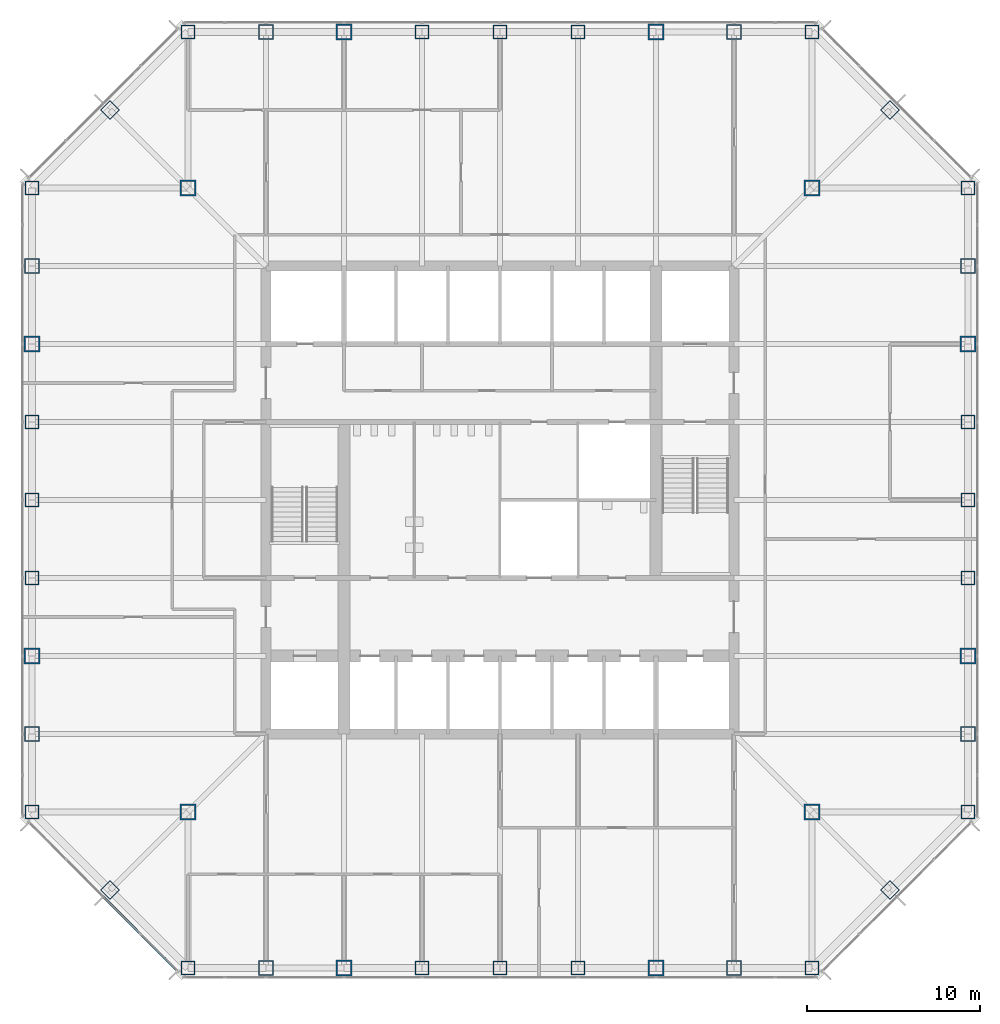
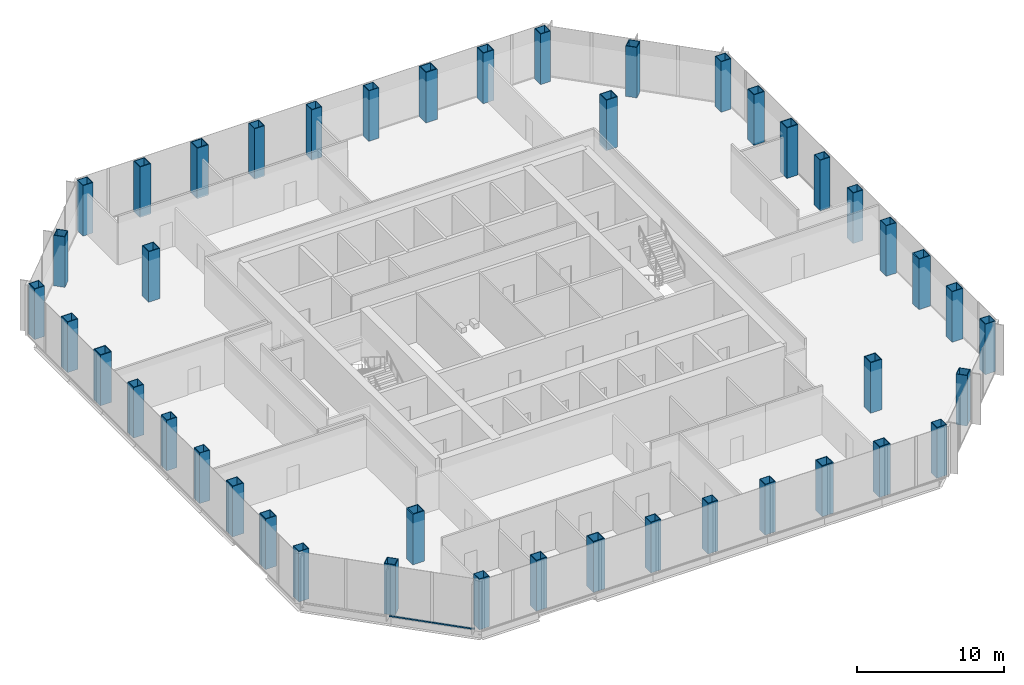
# One storey, part 1 of 13: 44 columns, 2 members, 1 element without a shape of its own.
"""IFC4 building model written with IfcOpenShell, lengths in metres."""

from ifc_helpers import new_model, si_unit, direction, frame, origin, origin_2d, place, context, subcontext, project, spatial, rectangle, hollow_rectangle, extrude, material, material_profile, profile_set, type_object, element, aggregate, save


model = new_model("IFC4")

# Units and contexts
model_context = context("Model", 3, precision=1e-05, world=origin(), true_north=direction((0.0, 1.0)))
body_context = subcontext(model_context, "Body", "Model", "MODEL_VIEW")
ifc_project = project(units=[si_unit("LENGTHUNIT", "METRE"), si_unit("AREAUNIT", "SQUARE_METRE"), si_unit("VOLUMEUNIT", "CUBIC_METRE"), si_unit("PLANEANGLEUNIT", "RADIAN"), si_unit("MASSUNIT", "GRAM", prefix="KILO")], contexts=[model_context])

# Site, building, storey
site_placement = place(None, origin())
site = spatial("IfcSite", under=ifc_project, at=site_placement, CompositionType="ELEMENT")
building_placement = place(site_placement, origin())
building = spatial("IfcBuilding", under=site, at=building_placement, Name="Corais Broadcast Tower", CompositionType="ELEMENT")
storey_placement = place(building_placement, frame((0.0, 0.0, 96.199951171875)))
storey = spatial("IfcBuildingStorey", under=building, at=storey_placement, Name="L21", CompositionType="ELEMENT", Elevation=96.199951171875)

# Columns
ifc_material_1 = material(Name="Steel ASTM A572 Grade 50", Category="steel")
ifc_material_profile_1 = material_profile(ifc_material_1, hollow_rectangle(XDim=0.800048828125, YDim=0.800048828125, WallThickness=0.044921875, at=origin_2d()), Name="BOX 800x800x45")
ifc_profile_set_1 = profile_set([ifc_material_profile_1], Name="Steel ASTM A572 Grade 50")
column_type_1 = type_object("IfcColumnType", Name="Column BOX 800x800x45", PredefinedType="COLUMN", material=ifc_profile_set_1)
for number, where, z_axis, x_axis, name in (
    (1, (9.0, 0.0, 0.0), (0.0, 0.0, 1.0), (1.0, 0.0, 0.0), "C3 A/5"),
    (2, (22.5, 0.0, 0.0), (0.0, 0.0, 1.0), (1.0, 0.0, 0.0), "C3 A/8"),
    (3, (27.0, 0.0, 0.0), (0.0, 0.0, 1.0), (1.0, 0.0, 0.0), "C3 A/9"),
    (4, (31.5, 0.0, 0.0), (0.0, 0.0, 1.0), (1.0, 0.0, 0.0), "C3 A/10"),
    (5, (45.0, 0.0, 0.0), (0.0, 0.0, 1.0), (1.0, 0.0, 0.0), "C3 A/13"),
    (6, (54.0, 9.0, 0.0), (0.0, 0.0, 1.0), (1.0, 0.0, 0.0), "C3 C/15"),
    (7, (54.0, 22.5, 0.0), (0.0, 0.0, 1.0), (1.0, 0.0, 0.0), "C3 F/15"),
    (8, (54.0, 27.0, 0.0), (0.0, 0.0, 1.0), (1.0, 0.0, 0.0), "C3 G/15"),
    (9, (54.0, 31.5, 0.0), (0.0, 0.0, 1.0), (1.0, 0.0, 0.0), "C3 H/15"),
    (10, (54.0, 45.0, 0.0), (0.0, 0.0, 1.0), (1.0, 0.0, 0.0), "C3 L/15"),
    (11, (45.0, 54.0, 0.0), (0.0, 0.0, 1.0), (1.0, 0.0, 0.0), "C3 N/13"),
    (12, (31.5, 54.0, 0.0), (0.0, 0.0, 1.0), (1.0, 0.0, 0.0), "C3 N/10"),
    (13, (27.0, 54.0, 0.0), (0.0, 0.0, 1.0), (1.0, 0.0, 0.0), "C3 N/9"),
    (14, (22.5, 54.0, 0.0), (0.0, 0.0, 1.0), (1.0, 0.0, 0.0), "C3 N/8"),
    (15, (9.0, 54.0, 0.0), (0.0, 0.0, 1.0), (1.0, 0.0, 0.0), "C3 N/5"),
    (16, (0.0, 45.0, 0.0), (0.0, 0.0, 1.0), (1.0, 0.0, 0.0), "C3 L/3"),
    (17, (0.0, 31.5, 0.0), (0.0, 0.0, 1.0), (1.0, 0.0, 0.0), "C3 H/3"),
    (18, (0.0, 27.0, 0.0), (0.0, 0.0, 1.0), (1.0, 0.0, 0.0), "C3 G/3"),
    (19, (0.0, 22.5, 0.0), (0.0, 0.0, 1.0), (1.0, 0.0, 0.0), "C3 F/3"),
    (20, (0.0, 9.0, 0.0), (0.0, 0.0, 1.0), (1.0, 0.0, 0.0), "C3 C/3"),
    (21, (4.5, 4.5, 0.0), (0.0, 0.0, 1.0), (0.707106781187, 0.707106781187, 0.0), "C3 B/4"),
    (22, (49.5, 4.5, 0.0), (0.0, 0.0, 1.0), (0.707106781187, 0.707106781187, 0.0), "C3 B/14"),
    (23, (49.5, 49.5, 0.0), (0.0, 0.0, 1.0), (0.707106781187, 0.707106781187, 0.0), "C3 M/14"),
    (24, (4.5, 49.5, 0.0), (0.0, 0.0, 1.0), (0.707106781187, 0.707106781187, 0.0), "C3 M/4"),
):
    element("IfcColumn", number, at=place(storey_placement, frame(where, z_axis=z_axis, x_axis=x_axis)), inside=storey, type_object=column_type_1, Name=name, PredefinedType="COLUMN", context=body_context, shape_type="SweptSolid", body=[
        extrude(hollow_rectangle(XDim=0.800048828125, YDim=0.800048828125, WallThickness=0.044921875, at=origin_2d()), origin(), (0.0, 0.0, 1.0), 4.199951171875),
    ])
ifc_material_2 = material(Name="Steel ASTM A572 Grade 50", Category="steel")
ifc_material_profile_2 = material_profile(ifc_material_2, hollow_rectangle(XDim=0.85009765625, YDim=0.85009765625, WallThickness=0.050048828125, at=origin_2d()), Name="BOX 850x850x50")
ifc_profile_set_2 = profile_set([ifc_material_profile_2], Name="Steel ASTM A572 Grade 50")
column_type_2 = type_object("IfcColumnType", Name="Column BOX 850x850x50", PredefinedType="COLUMN", material=ifc_profile_set_2)
for number, where, z_axis, x_axis, name in (
    (25, (13.5, 0.0, 0.0), (0.0, 0.0, 1.0), (1.0, 0.0, 0.0), "C1 A/6"),
    (26, (40.5, 0.0, 0.0), (0.0, 0.0, 1.0), (1.0, 0.0, 0.0), "C1 A/12"),
    (27, (54.0, 13.5, 0.0), (0.0, 0.0, 1.0), (1.0, 0.0, 0.0), "C1 D/15"),
    (28, (54.0, 40.5, 0.0), (0.0, 0.0, 1.0), (1.0, 0.0, 0.0), "C1 K/15"),
    (29, (40.5, 54.0, 0.0), (0.0, 0.0, 1.0), (1.0, 0.0, 0.0), "C1 N/12"),
    (30, (13.5, 54.0, 0.0), (0.0, 0.0, 1.0), (1.0, 0.0, 0.0), "C1 N/6"),
    (31, (0.0, 40.5, 0.0), (0.0, 0.0, 1.0), (1.0, 0.0, 0.0), "C1 K/3"),
    (32, (0.0, 13.5, 0.0), (0.0, 0.0, 1.0), (1.0, 0.0, 0.0), "C1 D/3"),
):
    element("IfcColumn", number, at=place(storey_placement, frame(where, z_axis=z_axis, x_axis=x_axis)), inside=storey, type_object=column_type_2, Name=name, PredefinedType="COLUMN", context=body_context, shape_type="SweptSolid", body=[
        extrude(hollow_rectangle(XDim=0.85009765625, YDim=0.85009765625, WallThickness=0.050048828125, at=origin_2d()), origin(), (0.0, 0.0, 1.0), 4.199951171875),
    ])
ifc_material_3 = material(Name="Steel ASTM A572 Grade 50", Category="steel")
ifc_material_profile_3 = material_profile(ifc_material_3, hollow_rectangle(XDim=0.89990234375, YDim=0.89990234375, WallThickness=0.06298828125, at=origin_2d()), Name="BOX 900x900x63")
ifc_profile_set_3 = profile_set([ifc_material_profile_3], Name="Steel ASTM A572 Grade 50")
column_type_3 = type_object("IfcColumnType", Name="Column BOX 900x900x63", PredefinedType="COLUMN", material=ifc_profile_set_3)
for number, where, z_axis, x_axis, name in (
    (33, (18.0, 0.0, 0.0), (0.0, 0.0, 1.0), (1.0, 0.0, 0.0), "C2 A/7"),
    (34, (36.0, 0.0, 0.0), (0.0, 0.0, 1.0), (1.0, 0.0, 0.0), "C2 A/11"),
    (35, (54.0, 18.0, 0.0), (0.0, 0.0, 1.0), (1.0, 0.0, 0.0), "C2 E/15"),
    (36, (54.0, 36.0, 0.0), (0.0, 0.0, 1.0), (1.0, 0.0, 0.0), "C2 J/15"),
    (37, (36.0, 54.0, 0.0), (0.0, 0.0, 1.0), (1.0, 0.0, 0.0), "C2 N/11"),
    (38, (18.0, 54.0, 0.0), (0.0, 0.0, 1.0), (1.0, 0.0, 0.0), "C2 N/7"),
    (39, (0.0, 36.0, 0.0), (0.0, 0.0, 1.0), (1.0, 0.0, 0.0), "C2 J/3"),
    (40, (0.0, 18.0, 0.0), (0.0, 0.0, 1.0), (1.0, 0.0, 0.0), "C2 E/3"),
    (41, (9.0, 9.0, 0.0), (0.0, 0.0, 1.0), (1.0, 0.0, 0.0), "C2 C/5"),
    (42, (45.0, 9.0, 0.0), (0.0, 0.0, 1.0), (1.0, 0.0, 0.0), "C2 C/13"),
    (43, (45.0, 45.0, 0.0), (0.0, 0.0, 1.0), (1.0, 0.0, 0.0), "C2 L/13"),
    (44, (9.0, 45.0, 0.0), (0.0, 0.0, 1.0), (1.0, 0.0, 0.0), "C2 L/5"),
):
    element("IfcColumn", number, at=place(storey_placement, frame(where, z_axis=z_axis, x_axis=x_axis)), inside=storey, type_object=column_type_3, Name=name, PredefinedType="COLUMN", context=body_context, shape_type="SweptSolid", body=[
        extrude(hollow_rectangle(XDim=0.89990234375, YDim=0.89990234375, WallThickness=0.06298828125, at=origin_2d()), origin(), (0.0, 0.0, 1.0), 4.199951171875),
    ])

# Curtain wall, members
ifc_material_4 = material(Name="Aluminium and glass", Category="aluminium")
curtain_wall_type = type_object("IfcCurtainWallType", Name="Unitised fritted curtain wall CW1", PredefinedType="NOTDEFINED", material=ifc_material_4)
curtain_wall_placement = place(storey_placement, origin())
curtain_wall = element("IfcCurtainWall", 45, at=curtain_wall_placement, inside=storey, type_object=curtain_wall_type, Name="CW1 curtain wall L21 1", PredefinedType="NOTDEFINED")
ifc_material_5 = material(Name="Aluminium 6063-T6", Category="aluminium")
ifc_material_profile_4 = material_profile(ifc_material_5, rectangle(XDim=0.139892578125, YDim=0.06494140625, at=origin_2d()), Name="Transom CW1 65x140")
ifc_profile_set_4 = profile_set([ifc_material_profile_4], Name="Aluminium 6063-T6")
member_type = type_object("IfcMemberType", Name="Transom CW1 65x140", PredefinedType="USERDEFINED", material=ifc_profile_set_4)
member_1_placement = place(storey_placement, frame((8.37255859375, -0.150390625, 0.032470703125), z_axis=(-0.707106781187, 0.707106781187, 0.0), x_axis=(-0.707106781187, -0.707106781187, 0.0)))
member_1 = element("IfcMember", 46, at=member_1_placement, type_object=member_type, Name="CW1 transom 1.1", ObjectType="TRANSOM", PredefinedType="USERDEFINED", context=body_context, shape_type="SweptSolid", body=[
    extrude(rectangle(XDim=0.139892578125, YDim=0.06494140625, at=origin_2d()), origin(), (0.0, 0.0, 1.0), 2.9482421875),
])
member_2_placement = place(storey_placement, frame((6.241943359375, 1.980224609375, 0.032470703125), z_axis=(-0.707106781187, 0.707106781187, 0.0), x_axis=(-0.707106781187, -0.707106781187, 0.0)))
member_2 = element("IfcMember", 47, at=member_2_placement, type_object=member_type, Name="CW1 transom 2.1", ObjectType="TRANSOM", PredefinedType="USERDEFINED", context=body_context, shape_type="SweptSolid", body=[
    extrude(rectangle(XDim=0.139892578125, YDim=0.06494140625, at=origin_2d()), origin(), (0.0, 0.0, 1.0), 2.98095703125),
])
aggregate(curtain_wall, [member_1, member_2])

save(model, "model.ifc")
